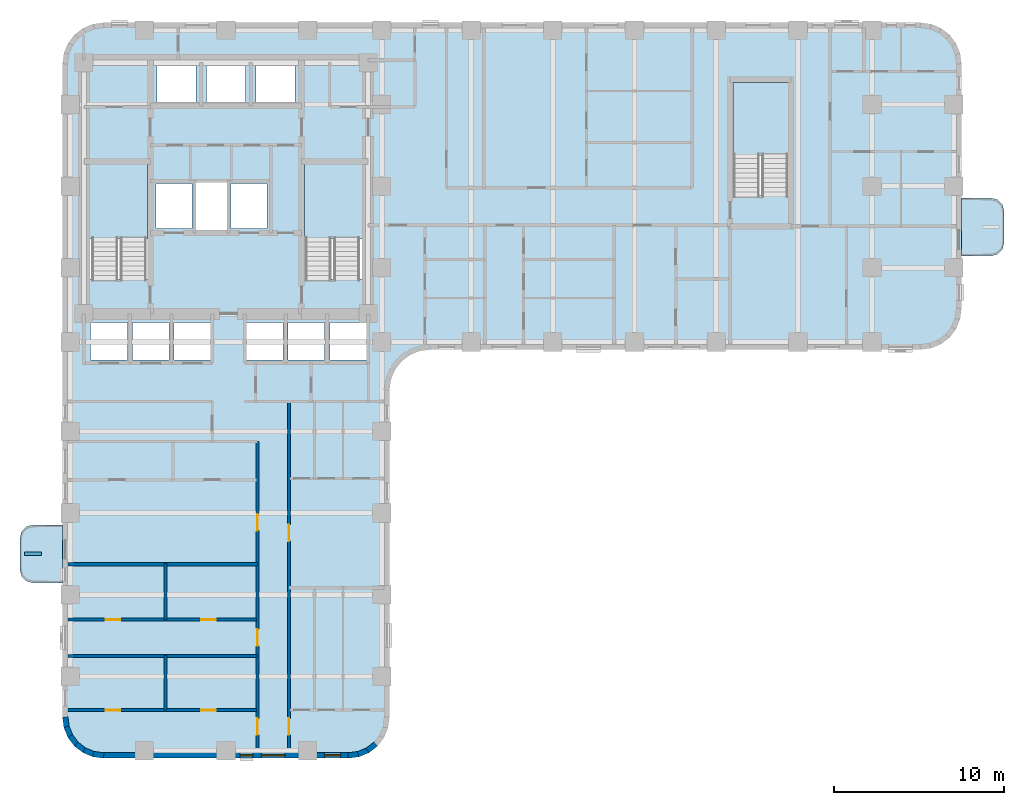
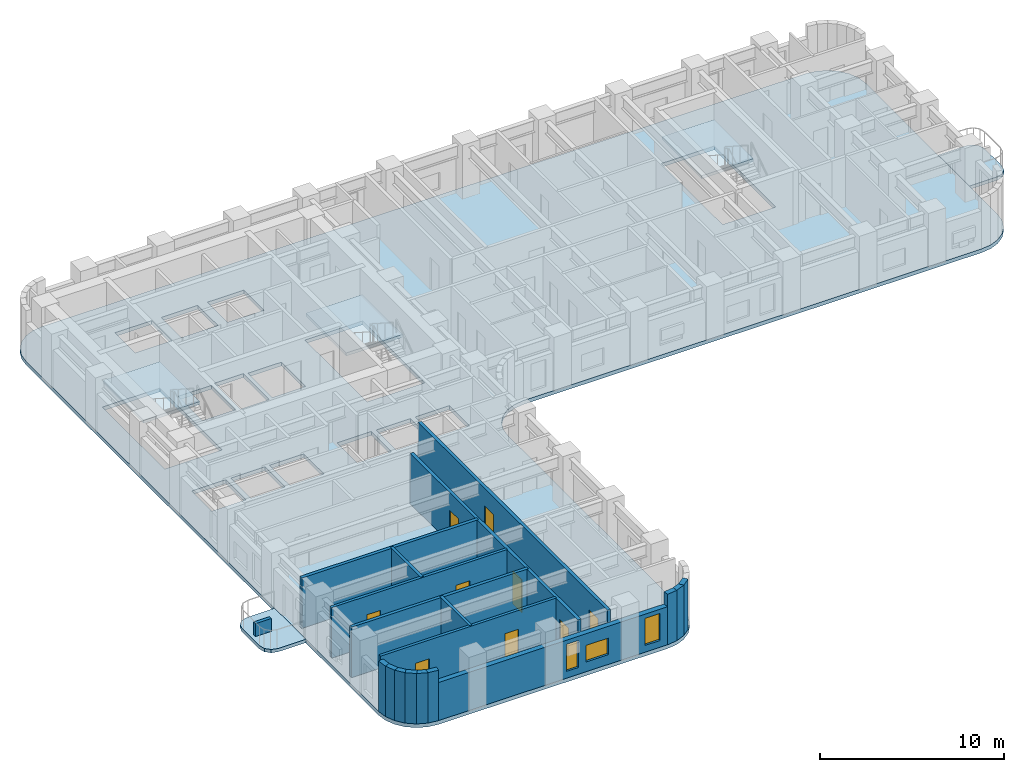
# One storey, part 2 of 11: 19 walls, 9 doors, 6 slabs, 3 windows, 12 openings, 3 elements without a shape of their own.
"""IFC4 building model written with IfcOpenShell, lengths in metres."""

from ifc_helpers import new_model, si_unit, direction, frame, frame_2d, origin, place, context, subcontext, project, spatial, polyline, rectangle, outline, extrude, material, layer, layer_set, type_object, element, fill, aggregate, save


model = new_model("IFC4")

# Units and contexts
model_context = context("Model", 3, precision=1e-05, world=origin(), true_north=direction((0.0, 1.0)))
body_context = subcontext(model_context, "Body", "Model", "MODEL_VIEW")
ifc_project = project(units=[si_unit("LENGTHUNIT", "METRE"), si_unit("AREAUNIT", "SQUARE_METRE"), si_unit("VOLUMEUNIT", "CUBIC_METRE"), si_unit("PLANEANGLEUNIT", "RADIAN"), si_unit("MASSUNIT", "GRAM", prefix="KILO")], contexts=[model_context])

# Site, building, storey
site_placement = place(None, origin())
site = spatial("IfcSite", under=ifc_project, at=site_placement, CompositionType="ELEMENT")
building_placement = place(site_placement, origin())
building = spatial("IfcBuilding", under=site, at=building_placement, Name="Orvandelia Arch Residences", CompositionType="ELEMENT")
storey_placement = place(building_placement, frame((0.0, 0.0, 50.199951171875)))
storey = spatial("IfcBuildingStorey", under=building, at=storey_placement, Name="L12", CompositionType="ELEMENT", Elevation=50.199951171875)

# Slabs
ifc_material_1 = material(Name="Precast concrete C40/50", Category="concrete")
ifc_layer_1 = layer(ifc_material_1, 0.219970703125, Name="Precast concrete C40/50", Category="concrete")
ifc_layer_set_1 = layer_set([ifc_layer_1], Name="Precast concrete C40/50")
slab_type_1 = type_object("IfcSlabType", Name="SLB-BAL-220", PredefinedType="USERDEFINED", material=ifc_layer_set_1)
slab_1_placement = place(storey_placement, frame((0.0, 0.0, -0.219970703125)))
element("IfcSlab", 1, at=slab_1_placement, inside=storey, type_object=slab_type_1, Name="Tree Balcony Cantilever Slab BAL-L12-W1", ObjectType="BALCONY", PredefinedType="USERDEFINED", context=body_context, shape_type="SweptSolid", body=[
    extrude(outline(polyline([(4.800048828125, 15.10009765625), (4.800048828125, 18.5), (3.050048828125, 18.5), (2.675048828125, 18.3994140625), (2.400390625, 18.125), (2.300048828125, 17.75), (2.300048828125, 15.85009765625), (2.400390625, 15.47509765625), (2.675048828125, 15.200439453125), (3.050048828125, 15.10009765625), (4.800048828125, 15.10009765625)])), origin(), (0.0, 0.0, 1.0), 0.219970703125),
])
slab_2_placement = place(storey_placement, frame((0.0, 0.0, -0.219970703125)))
element("IfcSlab", 2, at=slab_2_placement, inside=storey, type_object=slab_type_1, Name="Tree Balcony Cantilever Slab BAL-L12-E1", ObjectType="BALCONY", PredefinedType="USERDEFINED", context=body_context, shape_type="SweptSolid", body=[
    extrude(outline(polyline([(57.60009765625, 37.699951171875), (57.60009765625, 34.300048828125), (59.35009765625, 34.300048828125), (59.72509765625, 34.400390625), (59.99951171875, 34.675048828125), (60.10009765625, 35.050048828125), (60.10009765625, 36.949951171875), (59.99951171875, 37.324951171875), (59.72509765625, 37.599609375), (59.35009765625, 37.699951171875), (57.60009765625, 37.699951171875)])), origin(), (0.0, 0.0, 1.0), 0.219970703125),
])

# Stair, slab
ifc_material_2 = material(Name="Concrete C40/50", Category="concrete")
stair_type = type_object("IfcStairType", Name="STAIR-RC-DOGLEG", PredefinedType="HALF_TURN_STAIR", material=ifc_material_2)
stair_1_placement = place(storey_placement, origin())
stair_1 = element("IfcStair", 3, at=stair_1_placement, inside=storey, type_object=stair_type, Name="L12 Protected Exit Stair ST-1", PredefinedType="HALF_TURN_STAIR")
ifc_layer_2 = layer(ifc_material_2, 0.219970703125, Name="Concrete C40/50", Category="concrete")
ifc_layer_set_2 = layer_set([ifc_layer_2], Name="Concrete C40/50")
slab_type_2 = type_object("IfcSlabType", Name="SLB-LANDING-220", PredefinedType="LANDING", material=ifc_layer_set_2)
slab_3_placement = place(storey_placement, frame((0.0, 0.0, 1.60009765625)))
slab_3 = element("IfcSlab", 4, at=slab_3_placement, type_object=slab_type_2, Name="ST-1 landing 1", PredefinedType="LANDING", context=body_context, shape_type="SweptSolid", body=[
    extrude(outline(polyline([(9.800048828125, 35.31005859375), (9.800048828125, 39.68994140625), (6.260009765625, 39.68994140625), (6.260009765625, 35.31005859375), (9.800048828125, 35.31005859375)])), origin(), (0.0, 0.0, 1.0), 0.199951171875),
])
aggregate(stair_1, [slab_3])

stair_2_placement = place(storey_placement, origin())
stair_2 = element("IfcStair", 5, at=stair_2_placement, inside=storey, type_object=stair_type, Name="L12 Protected Exit Stair ST-2", PredefinedType="HALF_TURN_STAIR")
slab_4_placement = place(storey_placement, frame((0.0, 0.0, 1.60009765625)))
slab_4 = element("IfcSlab", 6, at=slab_4_placement, type_object=slab_type_2, Name="ST-2 landing 1", PredefinedType="LANDING", context=body_context, shape_type="SweptSolid", body=[
    extrude(outline(polyline([(22.5400390625, 35.31005859375), (22.5400390625, 39.68994140625), (19.0, 39.68994140625), (19.0, 35.31005859375), (22.5400390625, 35.31005859375)])), origin(), (0.0, 0.0, 1.0), 0.199951171875),
])
aggregate(stair_2, [slab_4])

stair_3_placement = place(storey_placement, origin())
stair_3 = element("IfcStair", 7, at=stair_3_placement, inside=storey, type_object=stair_type, Name="L12 East Wing Exit Stair ST-3", PredefinedType="HALF_TURN_STAIR")
slab_5_placement = place(storey_placement, frame((0.0, 0.0, 1.60009765625)))
slab_5 = element("IfcSlab", 8, at=slab_5_placement, type_object=slab_type_2, Name="ST-3 landing 1", PredefinedType="LANDING", context=body_context, shape_type="SweptSolid", body=[
    extrude(outline(polyline([(47.43994140625, 40.2099609375), (47.43994140625, 44.5), (44.179931640625, 44.5), (44.179931640625, 40.2099609375), (47.43994140625, 40.2099609375)])), origin(), (0.0, 0.0, 1.0), 0.199951171875),
])
aggregate(stair_3, [slab_5])

# Slab
ifc_layer_3 = layer(ifc_material_2, 0.25, Name="Concrete C40/50", Category="concrete")
ifc_layer_set_3 = layer_set([ifc_layer_3], Name="Concrete C40/50")
slab_type_3 = type_object("IfcSlabType", Name="SLB-TWR-250", PredefinedType="FLOOR", material=ifc_layer_set_3)
slab_6_placement = place(storey_placement, frame((0.0, 0.0, -0.25)))
element("IfcSlab", 9, at=slab_6_placement, inside=storey, type_object=slab_type_3, Name="Structural Floor Slab L12-1", PredefinedType="FLOOR", context=body_context, shape_type="SweptSolid", body=[
    extrude(outline(polyline([(4.800048828125, 7.199951171875), (4.8818359375, 6.578857421875), (5.12158203125, 6.0), (5.5029296875, 5.5029296875), (6.0, 5.12158203125), (6.578857421875, 4.8818359375), (7.199951171875, 4.800048828125), (21.60009765625, 4.800048828125), (22.22119140625, 4.8818359375), (22.800048828125, 5.12158203125), (23.297119140625, 5.5029296875), (23.678466796875, 6.0), (23.918212890625, 6.578857421875), (24.0, 7.199951171875), (24.0, 26.39990234375), (24.081787109375, 27.021240234375), (24.321533203125, 27.60009765625), (24.702880859375, 28.09716796875), (25.199951171875, 28.478515625), (25.77880859375, 28.71826171875), (26.39990234375, 28.800048828125), (55.199951171875, 28.800048828125), (55.8212890625, 28.8818359375), (56.39990234375, 29.12158203125), (56.897216796875, 29.5029296875), (57.278564453125, 30.0), (57.518310546875, 30.578857421875), (57.60009765625, 31.199951171875), (57.60009765625, 45.60009765625), (57.518310546875, 46.22119140625), (57.278564453125, 46.800048828125), (56.897216796875, 47.297119140625), (56.39990234375, 47.678466796875), (55.8212890625, 47.918212890625), (55.199951171875, 48.0), (7.199951171875, 48.0), (6.578857421875, 47.918212890625), (6.0, 47.678466796875), (5.5029296875, 47.297119140625), (5.12158203125, 46.800048828125), (4.8818359375, 46.22119140625), (4.800048828125, 45.60009765625), (4.800048828125, 7.199951171875)]), holes=[polyline([(6.219970703125, 32.949951171875), (9.840087890625, 32.949951171875), (9.840087890625, 39.72998046875), (6.219970703125, 39.72998046875), (6.219970703125, 32.949951171875)]), polyline([(18.9599609375, 32.949951171875), (22.580078125, 32.949951171875), (22.580078125, 39.72998046875), (18.9599609375, 39.72998046875), (18.9599609375, 32.949951171875)]), polyline([(44.139892578125, 37.85009765625), (47.47998046875, 37.85009765625), (47.47998046875, 44.5400390625), (44.139892578125, 44.5400390625), (44.139892578125, 37.85009765625)]), polyline([(12.639892578125, 35.81005859375), (14.4599609375, 35.81005859375), (14.4599609375, 38.639892578125), (12.639892578125, 38.639892578125), (12.639892578125, 35.81005859375)]), polyline([(10.300048828125, 35.89990234375), (12.39990234375, 35.89990234375), (12.39990234375, 38.550048828125), (10.300048828125, 38.550048828125), (10.300048828125, 35.89990234375)]), polyline([(14.699951171875, 35.89990234375), (16.800048828125, 35.89990234375), (16.800048828125, 38.550048828125), (14.699951171875, 38.550048828125), (14.699951171875, 35.89990234375)]), polyline([(10.35009765625, 43.300048828125), (12.64990234375, 43.300048828125), (12.64990234375, 45.5), (10.35009765625, 45.5), (10.35009765625, 43.300048828125)]), polyline([(13.25, 43.300048828125), (15.550048828125, 43.300048828125), (15.550048828125, 45.5), (13.25, 45.5), (13.25, 43.300048828125)]), polyline([(16.14990234375, 43.300048828125), (18.449951171875, 43.300048828125), (18.449951171875, 45.5), (16.14990234375, 45.5), (16.14990234375, 43.300048828125)]), polyline([(6.449951171875, 28.199951171875), (8.60009765625, 28.199951171875), (8.60009765625, 30.39990234375), (6.449951171875, 30.39990234375), (6.449951171875, 28.199951171875)]), polyline([(8.89990234375, 28.199951171875), (11.050048828125, 28.199951171875), (11.050048828125, 30.39990234375), (8.89990234375, 30.39990234375), (8.89990234375, 28.199951171875)]), polyline([(11.35009765625, 28.199951171875), (13.5, 28.199951171875), (13.5, 30.39990234375), (11.35009765625, 30.39990234375), (11.35009765625, 28.199951171875)]), polyline([(15.60009765625, 28.199951171875), (17.75, 28.199951171875), (17.75, 30.39990234375), (15.60009765625, 30.39990234375), (15.60009765625, 28.199951171875)]), polyline([(18.050048828125, 28.199951171875), (20.199951171875, 28.199951171875), (20.199951171875, 30.39990234375), (18.050048828125, 30.39990234375), (18.050048828125, 28.199951171875)]), polyline([(20.5, 28.199951171875), (22.64990234375, 28.199951171875), (22.64990234375, 30.39990234375), (20.5, 30.39990234375), (20.5, 28.199951171875)])]), origin(), (0.0, 0.0, 1.0), 0.25),
])

# Wall, openings, doors
ifc_material_3 = material(Name="Fire-Rated Corridor Partition")
ifc_layer_4 = layer(ifc_material_3, 0.199951171875, Name="Fire-Rated Corridor Partition")
ifc_layer_set_4 = layer_set([ifc_layer_4], Name="Fire-Rated Corridor Partition")
wall_type_1 = type_object("IfcWallType", Name="WL-CORR-200", PredefinedType="PARTITIONING", material=ifc_layer_set_4)
wall_1_placement = place(storey_placement, frame((16.25, 5.1201171875, 0.0), z_axis=(0.0, 0.0, 1.0), x_axis=(0.0, 1.0, 0.0)))
wall_1 = element("IfcWall", 10, at=wall_1_placement, inside=storey, type_object=wall_type_1, Name="Interior Partition Wall WL-L12-WC-W", PredefinedType="PARTITIONING", context=body_context, shape_type="SweptSolid", body=[
    extrude(rectangle(XDim=18.27978515625, YDim=0.199951171875, at=frame_2d((9.139892578125, 0.0))), origin(), (0.0, 0.0, 1.0), 3.35009765625),
])
opening_1_placement = place(wall_1_placement, frame((1.0419921875, 0.0, 0.0)))
opening_1 = element("IfcOpeningElement", 11, at=opening_1_placement, cuts=wall_1, Name="Opening D1", PredefinedType="OPENING", context=body_context, shape_type="SweptSolid", body=[
    extrude(rectangle(XDim=0.97998046875, YDim=2.179931640625, at=frame_2d((0.489990234375, 1.08984375))), frame((0.0, 0.10986328125, 0.0), z_axis=(0.0, -1.0, 0.0), x_axis=(1.0, 0.0, 0.0)), (0.0, 0.0, 1.0), 0.219970703125),
])
opening_2_placement = place(wall_1_placement, frame((6.280029296875, 0.0, 0.0)))
opening_2 = element("IfcOpeningElement", 12, at=opening_2_placement, cuts=wall_1, Name="Opening D1", PredefinedType="OPENING", context=body_context, shape_type="SweptSolid", body=[
    extrude(rectangle(XDim=0.97998046875, YDim=2.179931640625, at=frame_2d((0.489990234375, 1.08984375))), frame((0.0, 0.10986328125, 0.0), z_axis=(0.0, -1.0, 0.0), x_axis=(1.0, 0.0, 0.0)), (0.0, 0.0, 1.0), 0.219970703125),
])
opening_3_placement = place(wall_1_placement, frame((13.0400390625, 0.0, 0.0)))
opening_3 = element("IfcOpeningElement", 13, at=opening_3_placement, cuts=wall_1, Name="Opening D1", PredefinedType="OPENING", context=body_context, shape_type="SweptSolid", body=[
    extrude(rectangle(XDim=0.97998046875, YDim=2.179931640625, at=frame_2d((0.489990234375, 1.08984375))), frame((0.0, 0.10986328125, 0.0), z_axis=(0.0, -1.0, 0.0), x_axis=(1.0, 0.0, 0.0)), (0.0, 0.0, 1.0), 0.219970703125),
])
ifc_material_4 = material(Name="Solid-Core Timber Acoustic Fire Door", Category="wood")
door_type_1 = type_object("IfcDoorType", Name="DR-ENT-980", OperationType="NOTDEFINED", PredefinedType="DOOR", material=ifc_material_4)
door_1_placement = place(opening_1_placement, origin())
door_1 = element("IfcDoor", 14, at=door_1_placement, inside=storey, type_object=door_type_1, Name="Unit L12-01 Entrance Door", OperationType="SINGLE_SWING_LEFT", OverallHeight=2.179931640625, OverallWidth=0.97998046875, PredefinedType="DOOR", context=body_context, shape_type="SweptSolid", body=[
    extrude(rectangle(XDim=0.97998046875, YDim=2.179931640625, at=frame_2d((0.489990234375, 1.08984375))), frame((0.0, 0.02490234375, 0.0), z_axis=(0.0, -1.0, 0.0), x_axis=(1.0, 0.0, 0.0)), (0.0, 0.0, 1.0), 0.050048828125),
])
fill(opening_1, door_1)
door_2_placement = place(opening_2_placement, origin())
door_2 = element("IfcDoor", 15, at=door_2_placement, inside=storey, type_object=door_type_1, Name="Unit L12-02 Entrance Door", OperationType="SINGLE_SWING_RIGHT", OverallHeight=2.179931640625, OverallWidth=0.97998046875, PredefinedType="DOOR", context=body_context, shape_type="SweptSolid", body=[
    extrude(rectangle(XDim=0.97998046875, YDim=2.179931640625, at=frame_2d((0.489990234375, 1.08984375))), frame((0.0, 0.02490234375, 0.0), z_axis=(0.0, -1.0, 0.0), x_axis=(1.0, 0.0, 0.0)), (0.0, 0.0, 1.0), 0.050048828125),
])
fill(opening_2, door_2)
door_3_placement = place(opening_3_placement, origin())
door_3 = element("IfcDoor", 16, at=door_3_placement, inside=storey, type_object=door_type_1, Name="Unit L12-03 Entrance Door", OperationType="SINGLE_SWING_LEFT", OverallHeight=2.179931640625, OverallWidth=0.97998046875, PredefinedType="DOOR", context=body_context, shape_type="SweptSolid", body=[
    extrude(rectangle(XDim=0.97998046875, YDim=2.179931640625, at=frame_2d((0.489990234375, 1.08984375))), frame((0.0, 0.02490234375, 0.0), z_axis=(0.0, -1.0, 0.0), x_axis=(1.0, 0.0, 0.0)), (0.0, 0.0, 1.0), 0.050048828125),
])
fill(opening_3, door_3)

wall_2_placement = place(storey_placement, frame((18.10009765625, 5.1201171875, 0.0), z_axis=(0.0, 0.0, 1.0), x_axis=(0.0, 1.0, 0.0)))
wall_2 = element("IfcWall", 17, at=wall_2_placement, inside=storey, type_object=wall_type_1, Name="Interior Partition Wall WL-L12-WC-E", PredefinedType="PARTITIONING", context=body_context, shape_type="SweptSolid", body=[
    extrude(rectangle(XDim=20.6298828125, YDim=0.199951171875, at=frame_2d((10.31494140625, 0.0))), origin(), (0.0, 0.0, 1.0), 3.35009765625),
])
opening_4_placement = place(wall_2_placement, frame((1.04296875, 0.0, 0.0)))
opening_4 = element("IfcOpeningElement", 18, at=opening_4_placement, cuts=wall_2, Name="Opening D1", PredefinedType="OPENING", context=body_context, shape_type="SweptSolid", body=[
    extrude(rectangle(XDim=0.97998046875, YDim=2.179931640625, at=frame_2d((0.489990234375, 1.08984375))), frame((0.0, 0.10986328125, 0.0), z_axis=(0.0, -1.0, 0.0), x_axis=(1.0, 0.0, 0.0)), (0.0, 0.0, 1.0), 0.219970703125),
])
opening_5_placement = place(wall_2_placement, frame((12.422119140625, 0.0, 0.0)))
opening_5 = element("IfcOpeningElement", 19, at=opening_5_placement, cuts=wall_2, Name="Opening D1", PredefinedType="OPENING", context=body_context, shape_type="SweptSolid", body=[
    extrude(rectangle(XDim=0.97998046875, YDim=2.179931640625, at=frame_2d((0.489990234375, 1.08984375))), frame((0.0, 0.10986328125, 0.0), z_axis=(0.0, -1.0, 0.0), x_axis=(1.0, 0.0, 0.0)), (0.0, 0.0, 1.0), 0.219970703125),
])
door_4_placement = place(opening_4_placement, origin())
door_4 = element("IfcDoor", 20, at=door_4_placement, inside=storey, type_object=door_type_1, Name="Unit L12-04 Entrance Door", OperationType="SINGLE_SWING_RIGHT", OverallHeight=2.179931640625, OverallWidth=0.97998046875, PredefinedType="DOOR", context=body_context, shape_type="SweptSolid", body=[
    extrude(rectangle(XDim=0.97998046875, YDim=2.179931640625, at=frame_2d((0.489990234375, 1.08984375))), frame((0.0, 0.02490234375, 0.0), z_axis=(0.0, -1.0, 0.0), x_axis=(1.0, 0.0, 0.0)), (0.0, 0.0, 1.0), 0.050048828125),
])
fill(opening_4, door_4)
door_5_placement = place(opening_5_placement, origin())
door_5 = element("IfcDoor", 21, at=door_5_placement, inside=storey, type_object=door_type_1, Name="Unit L12-05 Entrance Door", OperationType="SINGLE_SWING_LEFT", OverallHeight=2.179931640625, OverallWidth=0.97998046875, PredefinedType="DOOR", context=body_context, shape_type="SweptSolid", body=[
    extrude(rectangle(XDim=0.97998046875, YDim=2.179931640625, at=frame_2d((0.489990234375, 1.08984375))), frame((0.0, 0.02490234375, 0.0), z_axis=(0.0, -1.0, 0.0), x_axis=(1.0, 0.0, 0.0)), (0.0, 0.0, 1.0), 0.050048828125),
])
fill(opening_5, door_5)

# Walls
ifc_layer_5 = layer(ifc_material_2, 0.199951171875, Name="Concrete C40/50", Category="concrete")
ifc_layer_set_5 = layer_set([ifc_layer_5], Name="Concrete C40/50")
wall_type_2 = type_object("IfcWallType", Name="WL-DEM-200", PredefinedType="SOLIDWALL", material=ifc_layer_set_5)
for number, where, z_axis, x_axis, name in (
    (22, (5.1201171875, 10.800048828125, 0.0), (0.0, 0.0, 1.0), (1.0, 0.0, 0.0), "Interior Partition Wall WL-L12-DEM-WL-108"),
    (23, (5.1201171875, 16.199951171875, 0.0), (0.0, 0.0, 1.0), (1.0, 0.0, 0.0), "Interior Partition Wall WL-L12-DEM-WL-162"),
):
    element("IfcWall", number, at=place(storey_placement, frame(where, z_axis=z_axis, x_axis=x_axis)), inside=storey, type_object=wall_type_2, Name=name, PredefinedType="SOLIDWALL", context=body_context, shape_type="SweptSolid", body=[
        extrude(rectangle(XDim=11.1298828125, YDim=0.199951171875, at=frame_2d((5.56494140625, 0.0))), origin(), (0.0, 0.0, 1.0), 3.35009765625),
    ])
ifc_layer_6 = layer(ifc_material_1, 0.320068359375, Name="Precast concrete C40/50", Category="concrete")
ifc_layer_set_6 = layer_set([ifc_layer_6], Name="Precast concrete C40/50")
wall_type_3 = type_object("IfcWallType", Name="WL-EXT-STONE-320", PredefinedType="STANDARD", material=ifc_layer_set_6)
wall_3_placement = place(storey_placement, frame((23.19970703125, 5.6298828125, 0.0), z_axis=(0.0, 0.0, 1.0), x_axis=(-0.7932174212, -0.608938521285, 0.0)))
element("IfcWall", 24, at=wall_3_placement, inside=storey, type_object=wall_type_3, Name="Coral-Limestone Precast Facade Wall L12-032", PredefinedType="STANDARD", context=body_context, shape_type="SweptSolid", body=[
    extrude(rectangle(XDim=0.626708984375, YDim=0.320068359375, at=frame_2d((0.3134765625, 0.0))), origin(), (0.0, 0.0, 1.0), 3.35009765625),
])
for number, where, z_axis, x_axis, name in (
    (25, (22.73876953125, 5.269287109375, 0.0), (0.0, 0.0, 1.0), (-0.92389335771, -0.382650053678, 0.0), "Coral-Limestone Precast Facade Wall L12-033"),
    (26, (22.2001953125, 5.040283203125, 0.0), (0.0, 0.0, 1.0), (-0.9914410257, -0.130555323746, 0.0), "Coral-Limestone Precast Facade Wall L12-034"),
):
    element("IfcWall", number, at=place(storey_placement, frame(where, z_axis=z_axis, x_axis=x_axis)), inside=storey, type_object=wall_type_3, Name=name, PredefinedType="STANDARD", context=body_context, shape_type="SweptSolid", body=[
        extrude(rectangle(XDim=0.62646484375, YDim=0.320068359375, at=frame_2d((0.313232421875, 0.0))), origin(), (0.0, 0.0, 1.0), 3.35009765625),
    ])

# Wall, openings, windows
wall_4_placement = place(storey_placement, frame((21.60009765625, 4.9599609375, 0.0), z_axis=(0.0, 0.0, 1.0), x_axis=(-1.0, 0.0, 0.0)))
wall_4 = element("IfcWall", 27, at=wall_4_placement, inside=storey, type_object=wall_type_3, Name="Coral-Limestone Precast Facade Wall L12-035", PredefinedType="STANDARD", context=body_context, shape_type="SweptSolid", body=[
    extrude(rectangle(XDim=14.400146484375, YDim=0.320068359375, at=frame_2d((7.2001953125, 0.0))), origin(), (0.0, 0.0, 1.0), 2.530029296875),
])
opening_6_placement = place(wall_4_placement, frame((5.614990234375, 0.0, 0.449951171875)))
opening_6 = element("IfcOpeningElement", 28, at=opening_6_placement, cuts=wall_4, Name="Opening W11", PredefinedType="OPENING", context=body_context, shape_type="SweptSolid", body=[
    extrude(rectangle(XDim=0.75, YDim=1.800048828125, at=frame_2d((0.375, 0.89990234375))), frame((0.0, 0.169921875, 0.0), z_axis=(0.0, -1.0, 0.0), x_axis=(1.0, 0.0, 0.0)), (0.0, 0.0, 1.0), 0.340087890625),
])
opening_7_placement = place(wall_4_placement, frame((3.72509765625, 0.0, 0.64990234375)))
opening_7 = element("IfcOpeningElement", 29, at=opening_7_placement, cuts=wall_4, Name="Opening W10", PredefinedType="OPENING", context=body_context, shape_type="SweptSolid", body=[
    extrude(rectangle(XDim=1.39990234375, YDim=1.10009765625, at=frame_2d((0.699951171875, 0.550048828125))), frame((0.0, 0.169921875, 0.0), z_axis=(0.0, -1.0, 0.0), x_axis=(1.0, 0.0, 0.0)), (0.0, 0.0, 1.0), 0.340087890625),
])
opening_8_placement = place(wall_4_placement, frame((0.469970703125, 0.0, 0.449951171875)))
opening_8 = element("IfcOpeningElement", 30, at=opening_8_placement, cuts=wall_4, Name="Opening W4", PredefinedType="OPENING", context=body_context, shape_type="SweptSolid", body=[
    extrude(rectangle(XDim=0.949951171875, YDim=1.800048828125, at=frame_2d((0.47509765625, 0.89990234375))), frame((0.0, 0.169921875, 0.0), z_axis=(0.0, -1.0, 0.0), x_axis=(1.0, 0.0, 0.0)), (0.0, 0.0, 1.0), 0.340087890625),
])
ifc_material_5 = material(Name="Tempered Low-E Insulated Glazing", Category="glass")
window_type_1 = type_object("IfcWindowType", Name="WIN-BED-0750x1800", PartitioningType="SINGLE_PANEL", PredefinedType="WINDOW", material=ifc_material_5)
window_1_placement = place(opening_6_placement, origin())
window_1 = element("IfcWindow", 31, at=window_1_placement, inside=storey, type_object=window_type_1, Name="Recessed Punched Window L12-024", OverallHeight=1.800048828125, OverallWidth=0.75, PartitioningType="SINGLE_PANEL", PredefinedType="WINDOW", context=body_context, shape_type="SweptSolid", body=[
    extrude(rectangle(XDim=0.75, YDim=1.800048828125, at=frame_2d((0.375, 0.89990234375))), frame((0.0, 0.030029296875, 0.0), z_axis=(0.0, -1.0, 0.0), x_axis=(1.0, 0.0, 0.0)), (0.0, 0.0, 1.0), 0.06005859375),
])
fill(opening_6, window_1)
window_type_2 = type_object("IfcWindowType", Name="WIN-CLR-1400x1100", PartitioningType="SINGLE_PANEL", PredefinedType="WINDOW", material=ifc_material_5)
window_2_placement = place(opening_7_placement, origin())
window_2 = element("IfcWindow", 32, at=window_2_placement, inside=storey, type_object=window_type_2, Name="Recessed Punched Window L12-025", OverallHeight=1.10009765625, OverallWidth=1.39990234375, PartitioningType="SINGLE_PANEL", PredefinedType="WINDOW", context=body_context, shape_type="SweptSolid", body=[
    extrude(rectangle(XDim=1.39990234375, YDim=1.10009765625, at=frame_2d((0.699951171875, 0.550048828125))), frame((0.0, 0.030029296875, 0.0), z_axis=(0.0, -1.0, 0.0), x_axis=(1.0, 0.0, 0.0)), (0.0, 0.0, 1.0), 0.06005859375),
])
fill(opening_7, window_2)
window_type_3 = type_object("IfcWindowType", Name="WIN-RES-0950x1800", PartitioningType="SINGLE_PANEL", PredefinedType="WINDOW", material=ifc_material_5)
window_3_placement = place(opening_8_placement, origin())
window_3 = element("IfcWindow", 33, at=window_3_placement, inside=storey, type_object=window_type_3, Name="Recessed Punched Window L12-026", OverallHeight=1.800048828125, OverallWidth=0.949951171875, PartitioningType="SINGLE_PANEL", PredefinedType="WINDOW", context=body_context, shape_type="SweptSolid", body=[
    extrude(rectangle(XDim=0.949951171875, YDim=1.800048828125, at=frame_2d((0.47509765625, 0.89990234375))), frame((0.0, 0.030029296875, 0.0), z_axis=(0.0, -1.0, 0.0), x_axis=(1.0, 0.0, 0.0)), (0.0, 0.0, 1.0), 0.06005859375),
])
fill(opening_8, window_3)

# Walls
wall_5_placement = place(storey_placement, frame((7.220947265625, 4.95849609375, 0.0), z_axis=(0.0, 0.0, 1.0), x_axis=(-0.991447664465, 0.130504898859, 0.0)))
element("IfcWall", 34, at=wall_5_placement, inside=storey, type_object=wall_type_3, Name="Coral-Limestone Precast Facade Wall L12-036", PredefinedType="STANDARD", context=body_context, shape_type="SweptSolid", body=[
    extrude(rectangle(XDim=0.626708984375, YDim=0.320068359375, at=frame_2d((0.3134765625, 0.0))), origin(), (0.0, 0.0, 1.0), 3.35009765625),
])
wall_6_placement = place(storey_placement, frame((6.639892578125, 5.029541015625, 0.0), z_axis=(0.0, 0.0, 1.0), x_axis=(-0.923836271867, 0.382787856107, 0.0)))
element("IfcWall", 35, at=wall_6_placement, inside=storey, type_object=wall_type_3, Name="Coral-Limestone Precast Facade Wall L12-037", PredefinedType="STANDARD", context=body_context, shape_type="SweptSolid", body=[
    extrude(rectangle(XDim=0.626220703125, YDim=0.320068359375, at=frame_2d((0.31298828125, 0.0))), origin(), (0.0, 0.0, 1.0), 3.35009765625),
])
for number, where, z_axis, x_axis, name in (
    (36, (6.097412109375, 5.248291015625, 0.0), (0.0, 0.0, 1.0), (-0.7932174212, 0.608938521285, 0.0), "Coral-Limestone Precast Facade Wall L12-038"),
    (37, (5.6298828125, 5.600341796875, 0.0), (0.0, 0.0, 1.0), (-0.608938521285, 0.7932174212, 0.0), "Coral-Limestone Precast Facade Wall L12-039"),
):
    element("IfcWall", number, at=place(storey_placement, frame(where, z_axis=z_axis, x_axis=x_axis)), inside=storey, type_object=wall_type_3, Name=name, PredefinedType="STANDARD", context=body_context, shape_type="SweptSolid", body=[
        extrude(rectangle(XDim=0.626708984375, YDim=0.320068359375, at=frame_2d((0.3134765625, 0.0))), origin(), (0.0, 0.0, 1.0), 3.35009765625),
    ])
wall_7_placement = place(storey_placement, frame((5.269287109375, 6.061279296875, 0.0), z_axis=(0.0, 0.0, 1.0), x_axis=(-0.382787856107, 0.923836271867, 0.0)))
element("IfcWall", 38, at=wall_7_placement, inside=storey, type_object=wall_type_3, Name="Coral-Limestone Precast Facade Wall L12-040", PredefinedType="STANDARD", context=body_context, shape_type="SweptSolid", body=[
    extrude(rectangle(XDim=0.626220703125, YDim=0.320068359375, at=frame_2d((0.31298828125, 0.0))), origin(), (0.0, 0.0, 1.0), 3.35009765625),
])
wall_8_placement = place(storey_placement, frame((5.040283203125, 6.599609375, 0.0), z_axis=(0.0, 0.0, 1.0), x_axis=(-0.130504898859, 0.991447664465, 0.0)))
element("IfcWall", 39, at=wall_8_placement, inside=storey, type_object=wall_type_3, Name="Coral-Limestone Precast Facade Wall L12-041", PredefinedType="STANDARD", context=body_context, shape_type="SweptSolid", body=[
    extrude(rectangle(XDim=0.626708984375, YDim=0.320068359375, at=frame_2d((0.3134765625, 0.0))), origin(), (0.0, 0.0, 1.0), 3.35009765625),
])
ifc_layer_7 = layer(ifc_material_1, 0.199951171875, Name="Precast concrete C40/50", Category="concrete")
ifc_layer_set_7 = layer_set([ifc_layer_7], Name="Precast concrete C40/50")
wall_type_4 = type_object("IfcWallType", Name="WL-PLANTER-200", PredefinedType="MOVABLE", material=ifc_layer_set_7)
wall_9_placement = place(storey_placement, frame((2.550048828125, 16.800048828125, 0.0), z_axis=(0.0, 0.0, 1.0), x_axis=(1.0, 0.0, 0.0)))
element("IfcWall", 40, at=wall_9_placement, inside=storey, type_object=wall_type_4, Name="Balcony Precast Tree Planter BAL-L12-W1", PredefinedType="MOVABLE", context=body_context, shape_type="SweptSolid", body=[
    extrude(rectangle(XDim=1.0, YDim=0.199951171875, at=frame_2d((0.5, 0.0))), origin(), (0.0, 0.0, 1.0), 0.85009765625),
])

# Wall, openings, doors
ifc_material_6 = material(Name="Moisture-Resistant Plumbing Wall")
ifc_layer_8 = layer(ifc_material_6, 0.179931640625, Name="Moisture-Resistant Plumbing Wall")
ifc_layer_set_8 = layer_set([ifc_layer_8], Name="Moisture-Resistant Plumbing Wall")
wall_type_5 = type_object("IfcWallType", Name="WL-WET-180", PredefinedType="PLUMBINGWALL", material=ifc_layer_set_8)
wall_10_placement = place(storey_placement, frame((5.1201171875, 7.6240234375, 0.0), z_axis=(0.0, 0.0, 1.0), x_axis=(1.0, 0.0, 0.0)))
wall_10 = element("IfcWall", 41, at=wall_10_placement, inside=storey, type_object=wall_type_5, Name="Interior Partition Wall WL-L12-U01-HZ", PredefinedType="PLUMBINGWALL", context=body_context, shape_type="SweptSolid", body=[
    extrude(rectangle(XDim=11.06982421875, YDim=0.179931640625, at=frame_2d((5.534912109375, 0.0))), origin(), (0.0, 0.0, 1.0), 3.35009765625),
])
opening_9_placement = place(wall_10_placement, frame((2.208984375, 0.0, 0.0)))
opening_9 = element("IfcOpeningElement", 42, at=opening_9_placement, cuts=wall_10, Name="Opening D4", PredefinedType="OPENING", context=body_context, shape_type="SweptSolid", body=[
    extrude(rectangle(XDim=0.860107421875, YDim=2.10009765625, at=frame_2d((0.43017578125, 1.050048828125))), frame((0.0, 0.10009765625, 0.0), z_axis=(0.0, -1.0, 0.0), x_axis=(1.0, 0.0, 0.0)), (0.0, 0.0, 1.0), 0.199951171875),
])
opening_10_placement = place(wall_10_placement, frame((7.823974609375, 0.0, 0.0)))
opening_10 = element("IfcOpeningElement", 43, at=opening_10_placement, cuts=wall_10, Name="Opening D4", PredefinedType="OPENING", context=body_context, shape_type="SweptSolid", body=[
    extrude(rectangle(XDim=0.860107421875, YDim=2.10009765625, at=frame_2d((0.43017578125, 1.050048828125))), frame((0.0, 0.10009765625, 0.0), z_axis=(0.0, -1.0, 0.0), x_axis=(1.0, 0.0, 0.0)), (0.0, 0.0, 1.0), 0.199951171875),
])
ifc_material_7 = material(Name="Moisture-Sealed Timber Bathroom Door", Category="wood")
door_type_2 = type_object("IfcDoorType", Name="DR-WET-900", OperationType="NOTDEFINED", PredefinedType="DOOR", material=ifc_material_7)
door_6_placement = place(opening_9_placement, origin())
door_6 = element("IfcDoor", 44, at=door_6_placement, inside=storey, type_object=door_type_2, Name="DR-L12-U01-KIT", OperationType="SINGLE_SWING_LEFT", OverallHeight=2.10009765625, OverallWidth=0.860107421875, PredefinedType="DOOR", context=body_context, shape_type="SweptSolid", body=[
    extrude(rectangle(XDim=0.860107421875, YDim=2.10009765625, at=frame_2d((0.43017578125, 1.050048828125))), frame((0.0, 0.02490234375, 0.0), z_axis=(0.0, -1.0, 0.0), x_axis=(1.0, 0.0, 0.0)), (0.0, 0.0, 1.0), 0.050048828125),
])
fill(opening_9, door_6)
door_7_placement = place(opening_10_placement, origin())
door_7 = element("IfcDoor", 45, at=door_7_placement, inside=storey, type_object=door_type_2, Name="DR-L12-U01-BTH", OperationType="SINGLE_SWING_RIGHT", OverallHeight=2.10009765625, OverallWidth=0.860107421875, PredefinedType="DOOR", context=body_context, shape_type="SweptSolid", body=[
    extrude(rectangle(XDim=0.860107421875, YDim=2.10009765625, at=frame_2d((0.43017578125, 1.050048828125))), frame((0.0, 0.02490234375, 0.0), z_axis=(0.0, -1.0, 0.0), x_axis=(1.0, 0.0, 0.0)), (0.0, 0.0, 1.0), 0.050048828125),
])
fill(opening_10, door_7)

# Wall
wall_11_placement = place(storey_placement, frame((10.847900390625, 7.6240234375, 0.0), z_axis=(0.0, 0.0, 1.0), x_axis=(0.0, 1.0, 0.0)))
element("IfcWall", 46, at=wall_11_placement, inside=storey, type_object=wall_type_5, Name="Interior Partition Wall WL-L12-U01-V1", PredefinedType="PLUMBINGWALL", context=body_context, shape_type="SweptSolid", body=[
    extrude(rectangle(XDim=3.216064453125, YDim=0.179931640625, at=frame_2d((1.60791015625, 0.0))), origin(), (0.0, 0.0, 1.0), 3.35009765625),
])

# Wall, openings, doors
wall_12_placement = place(storey_placement, frame((5.1201171875, 12.93994140625, 0.0), z_axis=(0.0, 0.0, 1.0), x_axis=(1.0, 0.0, 0.0)))
wall_12 = element("IfcWall", 47, at=wall_12_placement, inside=storey, type_object=wall_type_5, Name="Interior Partition Wall WL-L12-U02-HZ", PredefinedType="PLUMBINGWALL", context=body_context, shape_type="SweptSolid", body=[
    extrude(rectangle(XDim=11.06982421875, YDim=0.179931640625, at=frame_2d((5.534912109375, 0.0))), origin(), (0.0, 0.0, 1.0), 3.35009765625),
])
opening_11_placement = place(wall_12_placement, frame((2.208984375, 0.0, 0.0)))
opening_11 = element("IfcOpeningElement", 48, at=opening_11_placement, cuts=wall_12, Name="Opening D4", PredefinedType="OPENING", context=body_context, shape_type="SweptSolid", body=[
    extrude(rectangle(XDim=0.860107421875, YDim=2.10009765625, at=frame_2d((0.43017578125, 1.050048828125))), frame((0.0, 0.10009765625, 0.0), z_axis=(0.0, -1.0, 0.0), x_axis=(1.0, 0.0, 0.0)), (0.0, 0.0, 1.0), 0.199951171875),
])
opening_12_placement = place(wall_12_placement, frame((7.823974609375, 0.0, 0.0)))
opening_12 = element("IfcOpeningElement", 49, at=opening_12_placement, cuts=wall_12, Name="Opening D4", PredefinedType="OPENING", context=body_context, shape_type="SweptSolid", body=[
    extrude(rectangle(XDim=0.860107421875, YDim=2.10009765625, at=frame_2d((0.43017578125, 1.050048828125))), frame((0.0, 0.10009765625, 0.0), z_axis=(0.0, -1.0, 0.0), x_axis=(1.0, 0.0, 0.0)), (0.0, 0.0, 1.0), 0.199951171875),
])
door_8_placement = place(opening_11_placement, origin())
door_8 = element("IfcDoor", 50, at=door_8_placement, inside=storey, type_object=door_type_2, Name="DR-L12-U02-KIT", OperationType="SINGLE_SWING_RIGHT", OverallHeight=2.10009765625, OverallWidth=0.860107421875, PredefinedType="DOOR", context=body_context, shape_type="SweptSolid", body=[
    extrude(rectangle(XDim=0.860107421875, YDim=2.10009765625, at=frame_2d((0.43017578125, 1.050048828125))), frame((0.0, 0.02490234375, 0.0), z_axis=(0.0, -1.0, 0.0), x_axis=(1.0, 0.0, 0.0)), (0.0, 0.0, 1.0), 0.050048828125),
])
fill(opening_11, door_8)
door_9_placement = place(opening_12_placement, origin())
door_9 = element("IfcDoor", 51, at=door_9_placement, inside=storey, type_object=door_type_2, Name="DR-L12-U02-BTH", OperationType="SINGLE_SWING_LEFT", OverallHeight=2.10009765625, OverallWidth=0.860107421875, PredefinedType="DOOR", context=body_context, shape_type="SweptSolid", body=[
    extrude(rectangle(XDim=0.860107421875, YDim=2.10009765625, at=frame_2d((0.43017578125, 1.050048828125))), frame((0.0, 0.02490234375, 0.0), z_axis=(0.0, -1.0, 0.0), x_axis=(1.0, 0.0, 0.0)), (0.0, 0.0, 1.0), 0.050048828125),
])
fill(opening_12, door_9)

# Wall
wall_13_placement = place(storey_placement, frame((10.847900390625, 12.93994140625, 0.0), z_axis=(0.0, 0.0, 1.0), x_axis=(0.0, 1.0, 0.0)))
element("IfcWall", 52, at=wall_13_placement, inside=storey, type_object=wall_type_5, Name="Interior Partition Wall WL-L12-U02-V1", PredefinedType="PLUMBINGWALL", context=body_context, shape_type="SweptSolid", body=[
    extrude(rectangle(XDim=3.300048828125, YDim=0.179931640625, at=frame_2d((1.64990234375, 0.0))), origin(), (0.0, 0.0, 1.0), 3.35009765625),
])

save(model, "model.ifc")
